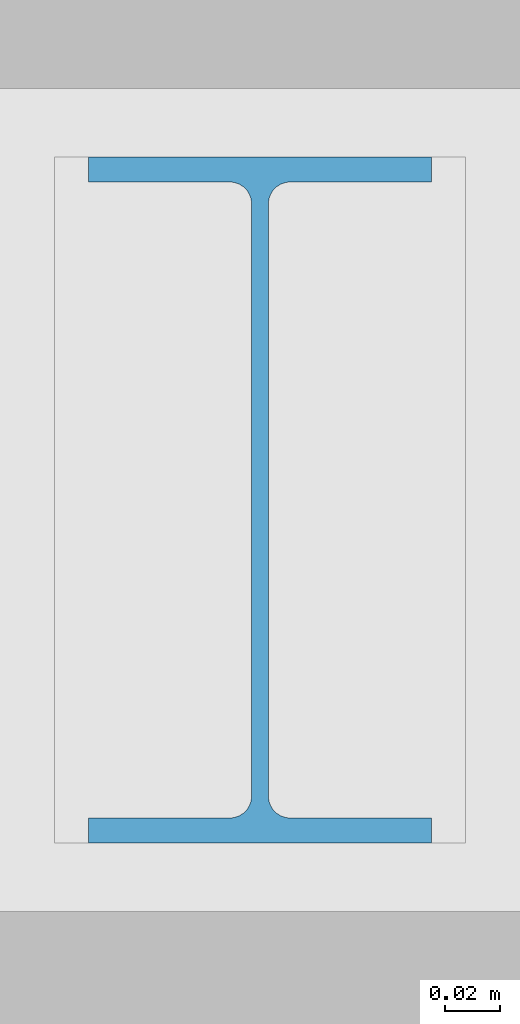
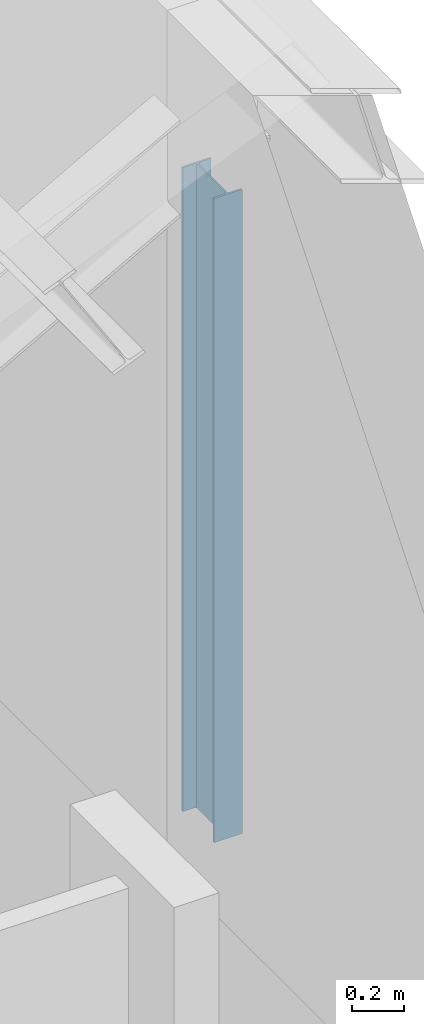
# One storey, part 48 of 437: 1 member.
"""IFC4 building model written with IfcOpenShell, lengths in metres."""

from ifc_helpers import new_model, si_unit, direction, frame, origin, origin_2d, place, context, subcontext, project, spatial, i_section, extrude, material, material_profile, profile_set, type_object, element, save


model = new_model("IFC4")

# Units and contexts
model_context = context("Model", 3, precision=1e-05, world=origin(), true_north=direction((0.0, 1.0)))
body_context = subcontext(model_context, "Body", "Model", "MODEL_VIEW")
ifc_project = project(units=[si_unit("LENGTHUNIT", "METRE"), si_unit("AREAUNIT", "SQUARE_METRE"), si_unit("VOLUMEUNIT", "CUBIC_METRE"), si_unit("PLANEANGLEUNIT", "RADIAN"), si_unit("MASSUNIT", "GRAM", prefix="KILO")], contexts=[model_context])

# Site, building, storey
site_placement = place(None, origin())
site = spatial("IfcSite", under=ifc_project, at=site_placement, CompositionType="ELEMENT")
building_placement = place(site_placement, origin())
building = spatial("IfcBuilding", under=site, at=building_placement, Name="Opaline Strait Convention Centre", CompositionType="ELEMENT")
storey_placement = place(building_placement, frame((0.0, 0.0, 11.5)))
storey = spatial("IfcBuildingStorey", under=building, at=storey_placement, Name="L02", CompositionType="ELEMENT", Elevation=11.5)

# Member
ifc_material = material(Name="Steel Q355B", Category="steel")
ifc_material_profile = material_profile(ifc_material, i_section(OverallWidth=0.125, OverallDepth=0.25, WebThickness=0.006103515625, FlangeThickness=0.009033203125, FilletRadius=0.008056640625, at=origin_2d()), Name="HN 250x125x6x9")
ifc_profile_set = profile_set([ifc_material_profile], Name="Steel Q355B")
member_type = type_object("IfcMemberType", Name="Roof post HN 250x125x6x9", PredefinedType="STRUT", material=ifc_profile_set)
member_placement = place(storey_placement, frame((81.0, 63.0, 4.68994140625), z_axis=(0.0, 0.0, 1.0), x_axis=(1.0, 0.0, 0.0)))
element("IfcMember", 1, at=member_placement, inside=storey, type_object=member_type, Name="RP1 roof post at 81/63", PredefinedType="STRUT", context=body_context, shape_type="SweptSolid", body=[
    extrude(i_section(OverallWidth=0.125, OverallDepth=0.25, WebThickness=0.006103515625, FlangeThickness=0.009033203125, FilletRadius=0.008056640625, at=origin_2d()), origin(), (0.0, 0.0, 1.0), 3.031005859375),
])

save(model, "model.ifc")
